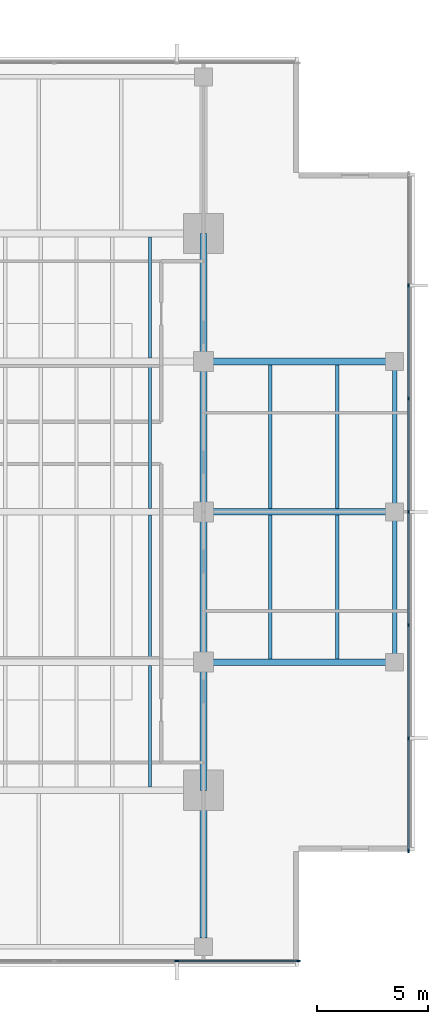
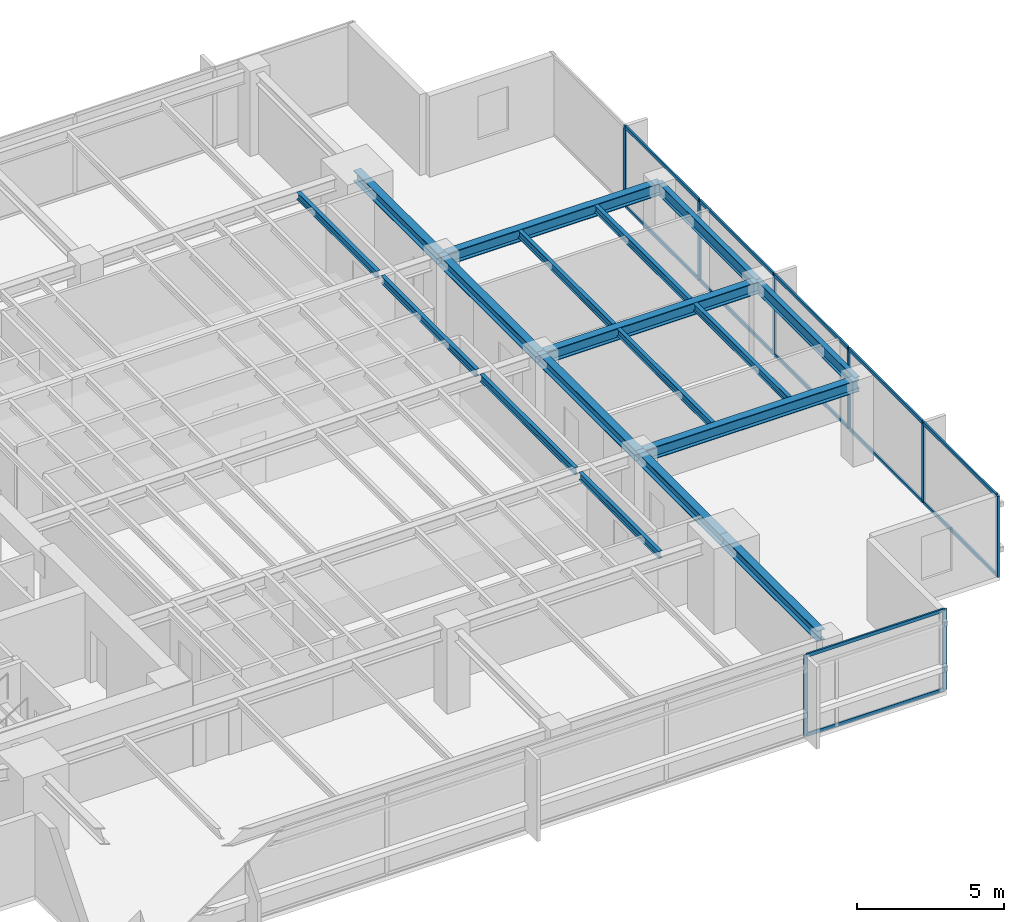
# One storey, part 4 of 14: 20 members, 18 beams, 2 elements without a shape of their own.
"""IFC4 building model written with IfcOpenShell, lengths in metres."""

from ifc_helpers import new_model, si_unit, direction, frame, origin, origin_2d, place, context, subcontext, project, spatial, rectangle, i_section, extrude, material, layer, layer_set, material_profile, profile_set, type_object, element, aggregate, save


model = new_model("IFC4")

# Units and contexts
model_context = context("Model", 3, precision=1e-05, world=origin(), true_north=direction((0.0, 1.0)))
body_context = subcontext(model_context, "Body", "Model", "MODEL_VIEW")
ifc_project = project(units=[si_unit("LENGTHUNIT", "METRE"), si_unit("AREAUNIT", "SQUARE_METRE"), si_unit("VOLUMEUNIT", "CUBIC_METRE"), si_unit("PLANEANGLEUNIT", "RADIAN"), si_unit("MASSUNIT", "GRAM", prefix="KILO")], contexts=[model_context])

# Site, building, storey
site_placement = place(None, origin())
site = spatial("IfcSite", under=ifc_project, at=site_placement, CompositionType="ELEMENT")
building_placement = place(site_placement, origin())
building = spatial("IfcBuilding", under=site, at=building_placement, Name="Kinhvarn Gate Tower", CompositionType="ELEMENT")
storey_placement = place(building_placement, frame((0.0, 0.0, 205.800048828125)))
storey = spatial("IfcBuildingStorey", under=building, at=storey_placement, Name="L54", CompositionType="ELEMENT", Elevation=205.800048828125)

# Curtain wall, members
ifc_material_1 = material(Name="Anodised aluminium AW-6063", Category="aluminium")
ifc_layer = layer(ifc_material_1, 0.179931640625)
ifc_layer_set = layer_set([ifc_layer], Name="Anodised aluminium AW-6063")
curtain_wall_type = type_object("IfcCurtainWallType", Name="CW-SYS-3", PredefinedType="NOTDEFINED", material=ifc_layer_set)
curtain_wall_1_placement = place(storey_placement, origin())
curtain_wall_1 = element("IfcCurtainWall", 1, at=curtain_wall_1_placement, inside=storey, type_object=curtain_wall_type, Name="Curtain Wall CW3 (L54)", PredefinedType="NOTDEFINED")
ifc_material_profile_1 = material_profile(ifc_material_1, rectangle(XDim=0.06494140625, YDim=0.159912109375, at=origin_2d()), Name="ALU 65x160")
ifc_profile_set_1 = profile_set([ifc_material_profile_1], Name="Anodised aluminium AW-6063")
member_type_1 = type_object("IfcMemberType", Name="CW-MUL-160", PredefinedType="MULLION", material=ifc_profile_set_1)
member_1_placement = place(storey_placement, frame((37.0, 5.090087890625, 0.0), z_axis=(0.0, 0.0, 1.0), x_axis=(0.0, 1.0, 0.0)))
member_1 = element("IfcMember", 2, at=member_1_placement, type_object=member_type_1, Name="CW3 mullion 6", PredefinedType="MULLION", context=body_context, shape_type="SweptSolid", body=[
    extrude(rectangle(XDim=0.06494140625, YDim=0.159912109375, at=origin_2d()), origin(), (0.0, 0.0, 1.0), 3.369873046875),
])
member_2_placement = place(storey_placement, frame((42.467529296875, 5.090087890625, 0.0), z_axis=(0.0, 0.0, 1.0), x_axis=(0.0, 1.0, 0.0)))
member_2 = element("IfcMember", 3, at=member_2_placement, type_object=member_type_1, Name="CW3 mullion 7", PredefinedType="MULLION", context=body_context, shape_type="SweptSolid", body=[
    extrude(rectangle(XDim=0.06494140625, YDim=0.159912109375, at=origin_2d()), origin(), (0.0, 0.0, 1.0), 3.369873046875),
])

curtain_wall_2_placement = place(storey_placement, origin())
curtain_wall_2 = element("IfcCurtainWall", 4, at=curtain_wall_2_placement, inside=storey, type_object=curtain_wall_type, Name="Curtain Wall CW3 (L54)", PredefinedType="NOTDEFINED")
member_3_placement = place(storey_placement, frame((47.409912109375, 10.032470703125, 0.0), z_axis=(0.0, 0.0, 1.0), x_axis=(-1.0, 0.0, 0.0)))
member_3 = element("IfcMember", 5, at=member_3_placement, type_object=member_type_1, Name="CW3 mullion 1", PredefinedType="MULLION", context=body_context, shape_type="SweptSolid", body=[
    extrude(rectangle(XDim=0.06494140625, YDim=0.159912109375, at=origin_2d()), origin(), (0.0, 0.0, 1.0), 3.369873046875),
])
member_4_placement = place(storey_placement, frame((47.409912109375, 15.083251953125, 0.0), z_axis=(0.0, 0.0, 1.0), x_axis=(-1.0, 0.0, 0.0)))
member_4 = element("IfcMember", 6, at=member_4_placement, type_object=member_type_1, Name="CW3 mullion 2", PredefinedType="MULLION", context=body_context, shape_type="SweptSolid", body=[
    extrude(rectangle(XDim=0.06494140625, YDim=0.159912109375, at=origin_2d()), origin(), (0.0, 0.0, 1.0), 3.369873046875),
])
member_5_placement = place(storey_placement, frame((47.409912109375, 20.166748046875, 0.0), z_axis=(0.0, 0.0, 1.0), x_axis=(-1.0, 0.0, 0.0)))
member_5 = element("IfcMember", 7, at=member_5_placement, type_object=member_type_1, Name="CW3 mullion 3", PredefinedType="MULLION", context=body_context, shape_type="SweptSolid", body=[
    extrude(rectangle(XDim=0.06494140625, YDim=0.159912109375, at=origin_2d()), origin(), (0.0, 0.0, 1.0), 3.369873046875),
])
member_6_placement = place(storey_placement, frame((47.409912109375, 25.25, 0.0), z_axis=(0.0, 0.0, 1.0), x_axis=(-1.0, 0.0, 0.0)))
member_6 = element("IfcMember", 8, at=member_6_placement, type_object=member_type_1, Name="CW3 mullion 4", PredefinedType="MULLION", context=body_context, shape_type="SweptSolid", body=[
    extrude(rectangle(XDim=0.06494140625, YDim=0.159912109375, at=origin_2d()), origin(), (0.0, 0.0, 1.0), 3.369873046875),
])
member_7_placement = place(storey_placement, frame((47.409912109375, 30.333251953125, 0.0), z_axis=(0.0, 0.0, 1.0), x_axis=(-1.0, 0.0, 0.0)))
member_7 = element("IfcMember", 9, at=member_7_placement, type_object=member_type_1, Name="CW3 mullion 5", PredefinedType="MULLION", context=body_context, shape_type="SweptSolid", body=[
    extrude(rectangle(XDim=0.06494140625, YDim=0.159912109375, at=origin_2d()), origin(), (0.0, 0.0, 1.0), 3.369873046875),
])
member_8_placement = place(storey_placement, frame((47.409912109375, 35.416748046875, 0.0), z_axis=(0.0, 0.0, 1.0), x_axis=(-1.0, 0.0, 0.0)))
member_8 = element("IfcMember", 10, at=member_8_placement, type_object=member_type_1, Name="CW3 mullion 6", PredefinedType="MULLION", context=body_context, shape_type="SweptSolid", body=[
    extrude(rectangle(XDim=0.06494140625, YDim=0.159912109375, at=origin_2d()), origin(), (0.0, 0.0, 1.0), 3.369873046875),
])

# Member
ifc_material_profile_2 = material_profile(ifc_material_1, rectangle(XDim=0.070068359375, YDim=0.139892578125, at=origin_2d()), Name="ALU 70x140")
ifc_profile_set_2 = profile_set([ifc_material_profile_2], Name="Anodised aluminium AW-6063")
member_type_2 = type_object("IfcMemberType", Name="CW-TRN-140", PredefinedType="USERDEFINED", material=ifc_profile_set_2)
member_9_placement = place(storey_placement, frame((37.032470703125, 5.090087890625, 0.034912109375), z_axis=(1.0, 0.0, 0.0), x_axis=(0.0, 1.0, 0.0)))
member_9 = element("IfcMember", 11, at=member_9_placement, type_object=member_type_2, Name="CW3 transom 6.1", ObjectType="TRANSOM", PredefinedType="USERDEFINED", context=body_context, shape_type="SweptSolid", body=[
    extrude(rectangle(XDim=0.070068359375, YDim=0.139892578125, at=origin_2d()), origin(), (0.0, 0.0, 1.0), 5.402587890625),
])

member_10_placement = place(storey_placement, frame((37.032470703125, 5.090087890625, 3.3349609375), z_axis=(1.0, 0.0, 0.0), x_axis=(0.0, 1.0, 0.0)))
member_10 = element("IfcMember", 12, at=member_10_placement, type_object=member_type_2, Name="CW3 transom 6.2", ObjectType="TRANSOM", PredefinedType="USERDEFINED", context=body_context, shape_type="SweptSolid", body=[
    extrude(rectangle(XDim=0.070068359375, YDim=0.139892578125, at=origin_2d()), origin(), (0.0, 0.0, 1.0), 5.402587890625),
])

aggregate(curtain_wall_1, [member_1, member_2, member_9, member_10])

member_11_placement = place(storey_placement, frame((47.409912109375, 10.06494140625, 0.034912109375), z_axis=(0.0, 1.0, 0.0), x_axis=(-1.0, 0.0, 0.0)))
member_11 = element("IfcMember", 13, at=member_11_placement, type_object=member_type_2, Name="CW3 transom 1.1", ObjectType="TRANSOM", PredefinedType="USERDEFINED", context=body_context, shape_type="SweptSolid", body=[
    extrude(rectangle(XDim=0.070068359375, YDim=0.139892578125, at=origin_2d()), origin(), (0.0, 0.0, 1.0), 4.98583984375),
])

member_12_placement = place(storey_placement, frame((47.409912109375, 10.06494140625, 3.3349609375), z_axis=(0.0, 1.0, 0.0), x_axis=(-1.0, 0.0, 0.0)))
member_12 = element("IfcMember", 14, at=member_12_placement, type_object=member_type_2, Name="CW3 transom 1.2", ObjectType="TRANSOM", PredefinedType="USERDEFINED", context=body_context, shape_type="SweptSolid", body=[
    extrude(rectangle(XDim=0.070068359375, YDim=0.139892578125, at=origin_2d()), origin(), (0.0, 0.0, 1.0), 4.98583984375),
])

member_13_placement = place(storey_placement, frame((47.409912109375, 15.11572265625, 0.034912109375), z_axis=(0.0, 1.0, 0.0), x_axis=(-1.0, 0.0, 0.0)))
member_13 = element("IfcMember", 15, at=member_13_placement, type_object=member_type_2, Name="CW3 transom 2.1", ObjectType="TRANSOM", PredefinedType="USERDEFINED", context=body_context, shape_type="SweptSolid", body=[
    extrude(rectangle(XDim=0.070068359375, YDim=0.139892578125, at=origin_2d()), origin(), (0.0, 0.0, 1.0), 5.0185546875),
])

member_14_placement = place(storey_placement, frame((47.409912109375, 15.11572265625, 3.3349609375), z_axis=(0.0, 1.0, 0.0), x_axis=(-1.0, 0.0, 0.0)))
member_14 = element("IfcMember", 16, at=member_14_placement, type_object=member_type_2, Name="CW3 transom 2.2", ObjectType="TRANSOM", PredefinedType="USERDEFINED", context=body_context, shape_type="SweptSolid", body=[
    extrude(rectangle(XDim=0.070068359375, YDim=0.139892578125, at=origin_2d()), origin(), (0.0, 0.0, 1.0), 5.0185546875),
])

member_15_placement = place(storey_placement, frame((47.409912109375, 20.19921875, 0.034912109375), z_axis=(0.0, 1.0, 0.0), x_axis=(-1.0, 0.0, 0.0)))
member_15 = element("IfcMember", 17, at=member_15_placement, type_object=member_type_2, Name="CW3 transom 3.1", ObjectType="TRANSOM", PredefinedType="USERDEFINED", context=body_context, shape_type="SweptSolid", body=[
    extrude(rectangle(XDim=0.070068359375, YDim=0.139892578125, at=origin_2d()), origin(), (0.0, 0.0, 1.0), 5.018310546875),
])

member_16_placement = place(storey_placement, frame((47.409912109375, 20.19921875, 3.3349609375), z_axis=(0.0, 1.0, 0.0), x_axis=(-1.0, 0.0, 0.0)))
member_16 = element("IfcMember", 18, at=member_16_placement, type_object=member_type_2, Name="CW3 transom 3.2", ObjectType="TRANSOM", PredefinedType="USERDEFINED", context=body_context, shape_type="SweptSolid", body=[
    extrude(rectangle(XDim=0.070068359375, YDim=0.139892578125, at=origin_2d()), origin(), (0.0, 0.0, 1.0), 5.018310546875),
])

member_17_placement = place(storey_placement, frame((47.409912109375, 25.282470703125, 0.034912109375), z_axis=(0.0, 1.0, 0.0), x_axis=(-1.0, 0.0, 0.0)))
member_17 = element("IfcMember", 19, at=member_17_placement, type_object=member_type_2, Name="CW3 transom 4.1", ObjectType="TRANSOM", PredefinedType="USERDEFINED", context=body_context, shape_type="SweptSolid", body=[
    extrude(rectangle(XDim=0.070068359375, YDim=0.139892578125, at=origin_2d()), origin(), (0.0, 0.0, 1.0), 5.018310546875),
])

member_18_placement = place(storey_placement, frame((47.409912109375, 25.282470703125, 3.3349609375), z_axis=(0.0, 1.0, 0.0), x_axis=(-1.0, 0.0, 0.0)))
member_18 = element("IfcMember", 20, at=member_18_placement, type_object=member_type_2, Name="CW3 transom 4.2", ObjectType="TRANSOM", PredefinedType="USERDEFINED", context=body_context, shape_type="SweptSolid", body=[
    extrude(rectangle(XDim=0.070068359375, YDim=0.139892578125, at=origin_2d()), origin(), (0.0, 0.0, 1.0), 5.018310546875),
])

member_19_placement = place(storey_placement, frame((47.409912109375, 30.36572265625, 0.034912109375), z_axis=(0.0, 1.0, 0.0), x_axis=(-1.0, 0.0, 0.0)))
member_19 = element("IfcMember", 21, at=member_19_placement, type_object=member_type_2, Name="CW3 transom 5.1", ObjectType="TRANSOM", PredefinedType="USERDEFINED", context=body_context, shape_type="SweptSolid", body=[
    extrude(rectangle(XDim=0.070068359375, YDim=0.139892578125, at=origin_2d()), origin(), (0.0, 0.0, 1.0), 5.0185546875),
])

member_20_placement = place(storey_placement, frame((47.409912109375, 30.36572265625, 3.3349609375), z_axis=(0.0, 1.0, 0.0), x_axis=(-1.0, 0.0, 0.0)))
member_20 = element("IfcMember", 22, at=member_20_placement, type_object=member_type_2, Name="CW3 transom 5.2", ObjectType="TRANSOM", PredefinedType="USERDEFINED", context=body_context, shape_type="SweptSolid", body=[
    extrude(rectangle(XDim=0.070068359375, YDim=0.139892578125, at=origin_2d()), origin(), (0.0, 0.0, 1.0), 5.0185546875),
])

aggregate(curtain_wall_2, [member_3, member_4, member_5, member_6, member_7, member_8, member_11, member_12, member_13, member_14, member_15, member_16, member_17, member_18, member_19, member_20])

# Beams
ifc_material_2 = material(Name="Steel S355", Category="steel")
ifc_material_profile_3 = material_profile(ifc_material_2, i_section(OverallWidth=0.300048828125, OverallDepth=0.449951171875, WebThickness=0.013916015625, FlangeThickness=0.02587890625, at=origin_2d()), Name="HEB 450")
ifc_profile_set_3 = profile_set([ifc_material_profile_3], Name="Steel S355")
beam_type_1 = type_object("IfcBeamType", Name="STL-HEB450", PredefinedType="BEAM", material=ifc_profile_set_3)
beam_1_placement = place(storey_placement, frame((38.199951171875, 6.10498046875, 3.14501953125), z_axis=(0.0, 1.0, 0.0), x_axis=(-1.0, 0.0, 0.0)))
element("IfcBeam", 23, at=beam_1_placement, inside=storey, type_object=beam_type_1, Name="Floor Beam PG-13 (L54 MCE-S)", PredefinedType="BEAM", context=body_context, shape_type="SweptSolid", body=[
    extrude(i_section(OverallWidth=0.300048828125, OverallDepth=0.449951171875, WebThickness=0.013916015625, FlangeThickness=0.02587890625, at=origin_2d()), origin(), (0.0, 0.0, 1.0), 6.64501953125),
])
beam_2_placement = place(storey_placement, frame((38.199951171875, 12.75, 3.14501953125), z_axis=(0.0, 1.0, 0.0), x_axis=(-1.0, 0.0, 0.0)))
element("IfcBeam", 24, at=beam_2_placement, inside=storey, type_object=beam_type_1, Name="Floor Beam PG-13 (L54 MG-E-12)", PredefinedType="BEAM", context=body_context, shape_type="SweptSolid", body=[
    extrude(i_section(OverallWidth=0.300048828125, OverallDepth=0.449951171875, WebThickness=0.013916015625, FlangeThickness=0.02587890625, at=origin_2d()), origin(), (0.0, 0.0, 1.0), 5.75),
])
for number, where, z_axis, x_axis, name in (
    (25, (38.199951171875, 18.5, 3.14501953125), (0.0, 1.0, 0.0), (-1.0, 0.0, 0.0), "Floor Beam PG-13 (L54 MG-E-18)"),
    (26, (38.199951171875, 25.25, 3.14501953125), (0.0, 1.0, 0.0), (-1.0, 0.0, 0.0), "Floor Beam PG-13 (L54 MG-E-25)"),
):
    element("IfcBeam", number, at=place(storey_placement, frame(where, z_axis=z_axis, x_axis=x_axis)), inside=storey, type_object=beam_type_1, Name=name, PredefinedType="BEAM", context=body_context, shape_type="SweptSolid", body=[
        extrude(i_section(OverallWidth=0.300048828125, OverallDepth=0.449951171875, WebThickness=0.013916015625, FlangeThickness=0.02587890625, at=origin_2d()), origin(), (0.0, 0.0, 1.0), 6.75),
    ])
beam_3_placement = place(storey_placement, frame((38.199951171875, 32.0, 3.14501953125), z_axis=(0.0, 1.0, 0.0), x_axis=(-1.0, 0.0, 0.0)))
element("IfcBeam", 27, at=beam_3_placement, inside=storey, type_object=beam_type_1, Name="Floor Beam PG-13 (L54 MG-E-32)", PredefinedType="BEAM", context=body_context, shape_type="SweptSolid", body=[
    extrude(i_section(OverallWidth=0.300048828125, OverallDepth=0.449951171875, WebThickness=0.013916015625, FlangeThickness=0.02587890625, at=origin_2d()), origin(), (0.0, 0.0, 1.0), 5.75),
])
ifc_material_profile_4 = material_profile(ifc_material_2, i_section(OverallWidth=0.300048828125, OverallDepth=0.5, WebThickness=0.014404296875, FlangeThickness=0.028076171875, at=origin_2d()), Name="HEB 500")
ifc_profile_set_4 = profile_set([ifc_material_profile_4], Name="Steel S355")
beam_type_2 = type_object("IfcBeamType", Name="STL-HEB500", PredefinedType="BEAM", material=ifc_profile_set_4)
for number, where, z_axis, x_axis, name in (
    (28, (38.199951171875, 18.5, 3.119873046875), (1.0, 0.0, 0.0), (0.0, 1.0, 0.0), "Floor Beam PG-14 (L54 EW2-Y18)"),
    (29, (38.199951171875, 25.25, 3.119873046875), (1.0, 0.0, 0.0), (0.0, 1.0, 0.0), "Floor Beam PG-14 (L54 EW2-Y25)"),
    (30, (38.199951171875, 32.0, 3.119873046875), (1.0, 0.0, 0.0), (0.0, 1.0, 0.0), "Floor Beam PG-14 (L54 EW2-Y32)"),
):
    element("IfcBeam", number, at=place(storey_placement, frame(where, z_axis=z_axis, x_axis=x_axis)), inside=storey, type_object=beam_type_2, Name=name, PredefinedType="BEAM", context=body_context, shape_type="SweptSolid", body=[
        extrude(i_section(OverallWidth=0.300048828125, OverallDepth=0.5, WebThickness=0.014404296875, FlangeThickness=0.028076171875, at=origin_2d()), origin(), (0.0, 0.0, 1.0), 8.580078125),
    ])
ifc_material_profile_5 = material_profile(ifc_material_2, i_section(OverallWidth=0.14990234375, OverallDepth=0.300048828125, WebThickness=0.007080078125, FlangeThickness=0.0107421875, at=origin_2d()), Name="IPE 300")
ifc_profile_set_5 = profile_set([ifc_material_profile_5], Name="Steel S355")
beam_type_3 = type_object("IfcBeamType", Name="STL-IPE300", PredefinedType="JOIST", material=ifc_profile_set_5)
beam_4_placement = place(storey_placement, frame((35.800048828125, 12.89990234375, 3.219970703125), z_axis=(0.0, 1.0, 0.0), x_axis=(-1.0, 0.0, 0.0)))
element("IfcBeam", 31, at=beam_4_placement, inside=storey, type_object=beam_type_3, Name="Floor Joist SB-02 (L54 JC-X358-0)", PredefinedType="JOIST", context=body_context, shape_type="SweptSolid", body=[
    extrude(i_section(OverallWidth=0.14990234375, OverallDepth=0.300048828125, WebThickness=0.007080078125, FlangeThickness=0.0107421875, at=origin_2d()), origin(), (0.0, 0.0, 1.0), 5.4501953125),
])
for number, where, z_axis, x_axis, name in (
    (32, (35.800048828125, 18.64990234375, 3.219970703125), (0.0, 1.0, 0.0), (-1.0, 0.0, 0.0), "Floor Joist SB-02 (L54 JC-X358-1)"),
    (33, (35.800048828125, 25.39990234375, 3.219970703125), (0.0, 1.0, 0.0), (-1.0, 0.0, 0.0), "Floor Joist SB-02 (L54 JC-X358-2)"),
):
    element("IfcBeam", number, at=place(storey_placement, frame(where, z_axis=z_axis, x_axis=x_axis)), inside=storey, type_object=beam_type_3, Name=name, PredefinedType="JOIST", context=body_context, shape_type="SweptSolid", body=[
        extrude(i_section(OverallWidth=0.14990234375, OverallDepth=0.300048828125, WebThickness=0.007080078125, FlangeThickness=0.0107421875, at=origin_2d()), origin(), (0.0, 0.0, 1.0), 6.4501953125),
    ])
beam_5_placement = place(storey_placement, frame((35.800048828125, 32.14990234375, 3.219970703125), z_axis=(0.0, 1.0, 0.0), x_axis=(-1.0, 0.0, 0.0)))
element("IfcBeam", 34, at=beam_5_placement, inside=storey, type_object=beam_type_3, Name="Floor Joist SB-02 (L54 JC-X358-3)", PredefinedType="JOIST", context=body_context, shape_type="SweptSolid", body=[
    extrude(i_section(OverallWidth=0.14990234375, OverallDepth=0.300048828125, WebThickness=0.007080078125, FlangeThickness=0.0107421875, at=origin_2d()), origin(), (0.0, 0.0, 1.0), 5.4501953125),
])
for number, where, z_axis, x_axis, name in (
    (35, (41.199951171875, 18.64990234375, 3.219970703125), (0.0, 1.0, 0.0), (-1.0, 0.0, 0.0), "Floor Joist SB-02 (L54 JC-X412-1)"),
    (36, (41.199951171875, 25.39990234375, 3.219970703125), (0.0, 1.0, 0.0), (-1.0, 0.0, 0.0), "Floor Joist SB-02 (L54 JC-X412-2)"),
    (37, (44.2099609375, 18.64990234375, 3.219970703125), (0.0, 1.0, 0.0), (-1.0, 0.0, 0.0), "Floor Joist SB-02 (L54 JC-X442-1)"),
    (38, (44.2099609375, 25.39990234375, 3.219970703125), (0.0, 1.0, 0.0), (-1.0, 0.0, 0.0), "Floor Joist SB-02 (L54 JC-X442-2)"),
):
    element("IfcBeam", number, at=place(storey_placement, frame(where, z_axis=z_axis, x_axis=x_axis)), inside=storey, type_object=beam_type_3, Name=name, PredefinedType="JOIST", context=body_context, shape_type="SweptSolid", body=[
        extrude(i_section(OverallWidth=0.14990234375, OverallDepth=0.300048828125, WebThickness=0.007080078125, FlangeThickness=0.0107421875, at=origin_2d()), origin(), (0.0, 0.0, 1.0), 6.4501953125),
    ])
ifc_material_profile_6 = material_profile(ifc_material_2, i_section(OverallWidth=0.199951171875, OverallDepth=0.5, WebThickness=0.01025390625, FlangeThickness=0.01611328125, at=origin_2d()), Name="IPE 500")
ifc_profile_set_6 = profile_set([ifc_material_profile_6], Name="Steel S355")
beam_type_4 = type_object("IfcBeamType", Name="STL-IPE500", PredefinedType="SPANDREL", material=ifc_profile_set_6)
for number, where, z_axis, x_axis, name in (
    (39, (46.780029296875, 18.5, 3.119873046875), (0.0, 1.0, 0.0), (-1.0, 0.0, 0.0), "Floor Spandrel SB-07 (L54 SP-E2)"),
    (40, (46.780029296875, 25.25, 3.119873046875), (0.0, 1.0, 0.0), (-1.0, 0.0, 0.0), "Floor Spandrel SB-07 (L54 SP-E3)"),
):
    element("IfcBeam", number, at=place(storey_placement, frame(where, z_axis=z_axis, x_axis=x_axis)), inside=storey, type_object=beam_type_4, Name=name, PredefinedType="SPANDREL", context=body_context, shape_type="SweptSolid", body=[
        extrude(i_section(OverallWidth=0.199951171875, OverallDepth=0.5, WebThickness=0.01025390625, FlangeThickness=0.01611328125, at=origin_2d()), origin(), (0.0, 0.0, 1.0), 6.75),
    ])

save(model, "model.ifc")
